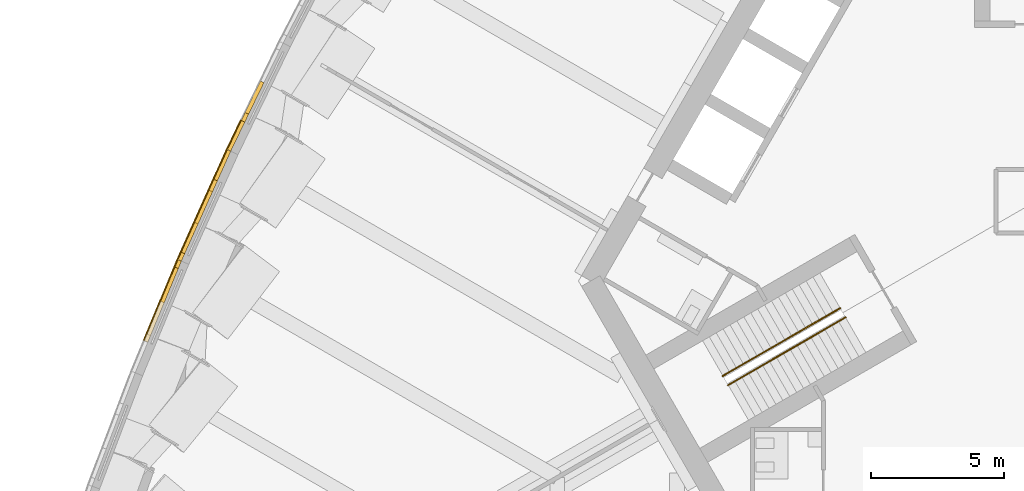
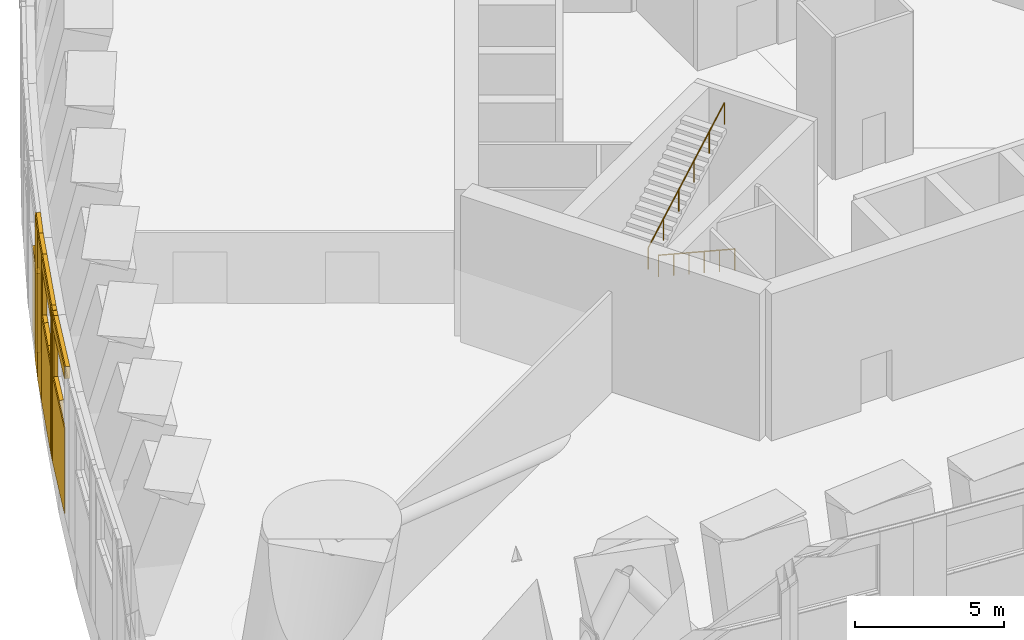
# One storey, part 16 of 28: 20 coverings, 2 railings.
"""IFC4 building model written with IfcOpenShell, lengths in metres."""

from ifc_helpers import new_model, si_unit, direction, frame, origin, origin_2d, place, context, subcontext, project, spatial, rectangle, circle, extrude, material, layer, layer_set, type_object, element, save


model = new_model("IFC4")

# Units and contexts
model_context = context("Model", 3, precision=1e-05, world=origin(), true_north=direction((0.0, 1.0)))
body_context = subcontext(model_context, "Body", "Model", "MODEL_VIEW")
ifc_project = project(units=[si_unit("LENGTHUNIT", "METRE"), si_unit("AREAUNIT", "SQUARE_METRE"), si_unit("VOLUMEUNIT", "CUBIC_METRE"), si_unit("PLANEANGLEUNIT", "RADIAN"), si_unit("MASSUNIT", "GRAM", prefix="KILO")], contexts=[model_context])

# Site, building, storey
site_placement = place(None, origin())
site = spatial("IfcSite", under=ifc_project, at=site_placement, CompositionType="ELEMENT")
building_placement = place(site_placement, origin())
building = spatial("IfcBuilding", under=site, at=building_placement, Name="Trefoil Bronze Tower", CompositionType="ELEMENT")
storey_placement = place(building_placement, frame((0.0, 0.0, 92.10009765625)))
storey = spatial("IfcBuildingStorey", under=building, at=storey_placement, Name="L21", CompositionType="ELEMENT", Elevation=92.10009765625)

# Coverings
ifc_material_1 = material(Name="Bronze-finish aluminium rainscreen panel on aluminium rails", Category="aluminium")
ifc_layer_1 = layer(ifc_material_1, 0.0400390625)
ifc_layer_set_1 = layer_set([ifc_layer_1], Name="Bronze cladding panel 40")
covering_type_1 = type_object("IfcCoveringType", Name="Bronze cladding panel 40", PredefinedType="CLADDING", material=ifc_layer_set_1)
covering_1_placement = place(storey_placement, frame((-30.165283203125, 2.49853515625, 0.0), z_axis=(0.0, 0.0, 1.0), x_axis=(-0.43585534581, -0.900016731805, 0.0)))
element("IfcCovering", 1, at=covering_1_placement, inside=storey, type_object=covering_type_1, Name="Cladding panel L21 Face 3.11 piece 2", PredefinedType="CLADDING", context=body_context, shape_type="SweptSolid", body=[
    extrude(rectangle(XDim=1.2119140625, YDim=0.0400390625, at=origin_2d()), origin(), (0.0, 0.0, 1.0), 6.0),
])
covering_2_placement = place(storey_placement, frame((-30.683837890625, 1.38671875, 0.0), z_axis=(0.0, 0.0, 1.0), x_axis=(-0.409456357969, -0.912329705161, 0.0)))
element("IfcCovering", 2, at=covering_2_placement, inside=storey, type_object=covering_type_1, Name="Cladding panel L21 Face 3.12 piece 1", PredefinedType="CLADDING", context=body_context, shape_type="SweptSolid", body=[
    extrude(rectangle(XDim=1.223388671875, YDim=0.0400390625, at=origin_2d()), origin(), (0.0, 0.0, 1.0), 6.0),
])
covering_3_placement = place(storey_placement, frame((-32.22412109375, -2.045166015625, 0.0), z_axis=(0.0, 0.0, 1.0), x_axis=(-0.409456357969, -0.912329705161, 0.0)))
element("IfcCovering", 3, at=covering_3_placement, inside=storey, type_object=covering_type_1, Name="Cladding panel L21 Face 3.12 piece 2", PredefinedType="CLADDING", context=body_context, shape_type="SweptSolid", body=[
    extrude(rectangle(XDim=0.300048828125, YDim=0.0400390625, at=origin_2d()), origin(), (0.0, 0.0, 1.0), 6.0),
])
covering_4_placement = place(storey_placement, frame((-31.54833984375, -0.5400390625, 0.0), z_axis=(0.0, 0.0, 1.0), x_axis=(-0.409456357969, -0.912329705161, 0.0)))
element("IfcCovering", 4, at=covering_4_placement, inside=storey, type_object=covering_type_1, Name="Cladding panel L21 Face 3.12 piece 3", PredefinedType="CLADDING", context=body_context, shape_type="SweptSolid", body=[
    extrude(rectangle(XDim=3.0, YDim=0.0400390625, at=origin_2d()), origin(), (0.0, 0.0, 1.0), 3.5),
])
covering_5_placement = place(storey_placement, frame((-31.54833984375, -0.5400390625, 5.5), z_axis=(0.0, 0.0, 1.0), x_axis=(-0.409456357969, -0.912329705161, 0.0)))
element("IfcCovering", 5, at=covering_5_placement, inside=storey, type_object=covering_type_1, Name="Cladding panel L21 Face 3.12 piece 4", PredefinedType="CLADDING", context=body_context, shape_type="SweptSolid", body=[
    extrude(rectangle(XDim=3.0, YDim=0.0400390625, at=origin_2d()), origin(), (0.0, 0.0, 1.0), 0.5),
])
covering_6_placement = place(storey_placement, frame((-32.346435546875, -2.329345703125, 0.0), z_axis=(0.0, 0.0, 1.0), x_axis=(-0.382629580809, -0.923901836718, 0.0)))
element("IfcCovering", 6, at=covering_6_placement, inside=storey, type_object=covering_type_1, Name="Cladding panel L21 Face 3.13 piece 1", PredefinedType="CLADDING", context=body_context, shape_type="SweptSolid", body=[
    extrude(rectangle(XDim=0.300048828125, YDim=0.0400390625, at=origin_2d()), origin(), (0.0, 0.0, 1.0), 6.0),
])
covering_7_placement = place(storey_placement, frame((-32.977783203125, -3.853759765625, 0.0), z_axis=(0.0, 0.0, 1.0), x_axis=(-0.382629580809, -0.923901836718, 0.0)))
element("IfcCovering", 7, at=covering_7_placement, inside=storey, type_object=covering_type_1, Name="Cladding panel L21 Face 3.13 piece 3", PredefinedType="CLADDING", context=body_context, shape_type="SweptSolid", body=[
    extrude(rectangle(XDim=3.0, YDim=0.0400390625, at=origin_2d()), origin(), (0.0, 0.0, 1.0), 3.5),
])
covering_8_placement = place(storey_placement, frame((-32.977783203125, -3.853759765625, 5.5), z_axis=(0.0, 0.0, 1.0), x_axis=(-0.382629580809, -0.923901836718, 0.0)))
element("IfcCovering", 8, at=covering_8_placement, inside=storey, type_object=covering_type_1, Name="Cladding panel L21 Face 3.13 piece 4", PredefinedType="CLADDING", context=body_context, shape_type="SweptSolid", body=[
    extrude(rectangle(XDim=3.0, YDim=0.0400390625, at=origin_2d()), origin(), (0.0, 0.0, 1.0), 0.5),
])

# Railings
ifc_material_2 = material(Name="Steel handrail", Category="steel")
railing_type = type_object("IfcRailingType", Name="Handrail 900", PredefinedType="HANDRAIL", material=ifc_material_2)
railing_1_placement = place(storey_placement, frame((-7.166015625, -4.3681640625, 0.16650390625)))
element("IfcRailing", 9, at=railing_1_placement, inside=storey, type_object=railing_type, Name="Handrail ST3 flight 1 L21", PredefinedType="HANDRAIL", context=body_context, shape_type="SweptSolid", body=[
    extrude(circle(Radius=0.02392578125, at=origin_2d()), frame((0.0, 0.0, 0.8759765625), z_axis=(-0.757030734863, -0.437078438209, 0.485661307215), x_axis=(0.500005610874, -0.86602216432, 0.0)), (0.0, 0.0, 1.0), 5.834228515625),
    extrude(circle(Radius=0.02099609375, at=origin_2d()), origin(), (0.0, 0.0, 1.0), 0.851806640625),
    extrude(circle(Radius=0.02099609375, at=origin_2d()), frame((-0.88330078125, -0.510009765625, 0.566650390625)), (0.0, 0.0, 1.0), 0.851806640625),
    extrude(circle(Radius=0.02099609375, at=origin_2d()), frame((-1.7666015625, -1.02001953125, 1.13330078125)), (0.0, 0.0, 1.0), 0.851806640625),
    extrude(circle(Radius=0.02099609375, at=origin_2d()), frame((-2.650146484375, -1.530029296875, 1.7001953125)), (0.0, 0.0, 1.0), 0.851806640625),
    extrude(circle(Radius=0.02099609375, at=origin_2d()), frame((-3.533447265625, -2.0400390625, 2.266845703125)), (0.0, 0.0, 1.0), 0.851806640625),
    extrude(circle(Radius=0.02099609375, at=origin_2d()), frame((-4.416748046875, -2.550048828125, 2.83349609375)), (0.0, 0.0, 1.0), 0.851806640625),
])
railing_2_placement = place(storey_placement, frame((-11.78271484375, -6.57177734375, 3.16650390625)))
element("IfcRailing", 10, at=railing_2_placement, inside=storey, type_object=railing_type, Name="Handrail ST3 flight 2 L21", PredefinedType="HANDRAIL", context=body_context, shape_type="SweptSolid", body=[
    extrude(circle(Radius=0.02392578125, at=origin_2d()), frame((0.0, 0.0, 0.8759765625), z_axis=(0.757030734863, 0.437078438209, 0.485661307215), x_axis=(-0.500005610874, 0.86602216432, 0.0)), (0.0, 0.0, 1.0), 5.834228515625),
    extrude(circle(Radius=0.02099609375, at=origin_2d()), origin(), (0.0, 0.0, 1.0), 0.851806640625),
    extrude(circle(Radius=0.02099609375, at=origin_2d()), frame((0.88330078125, 0.510009765625, 0.566650390625)), (0.0, 0.0, 1.0), 0.851806640625),
    extrude(circle(Radius=0.02099609375, at=origin_2d()), frame((1.7666015625, 1.02001953125, 1.13330078125)), (0.0, 0.0, 1.0), 0.851806640625),
    extrude(circle(Radius=0.02099609375, at=origin_2d()), frame((2.650146484375, 1.530029296875, 1.7001953125)), (0.0, 0.0, 1.0), 0.851806640625),
    extrude(circle(Radius=0.02099609375, at=origin_2d()), frame((3.533447265625, 2.0400390625, 2.266845703125)), (0.0, 0.0, 1.0), 0.851806640625),
    extrude(circle(Radius=0.02099609375, at=origin_2d()), frame((4.416748046875, 2.550048828125, 2.83349609375)), (0.0, 0.0, 1.0), 0.851806640625),
])

# Coverings
ifc_material_3 = material(Name="Non-combustible mineral wool slab", Category="insulation")
ifc_layer_2 = layer(ifc_material_3, 0.14990234375)
ifc_layer_set_2 = layer_set([ifc_layer_2], Name="Rainscreen insulation 150")
covering_type_2 = type_object("IfcCoveringType", Name="Rainscreen insulation 150", PredefinedType="INSULATION", material=ifc_layer_set_2)
covering_9_placement = place(storey_placement, frame((-30.079833984375, 2.45703125, 0.22998046875), z_axis=(0.0, 0.0, 1.0), x_axis=(-0.43585534581, -0.900016731805, 0.0)))
element("IfcCovering", 11, at=covering_9_placement, inside=storey, type_object=covering_type_2, Name="Insulation L21 Face 3.11 piece 2", PredefinedType="INSULATION", context=body_context, shape_type="SweptSolid", body=[
    extrude(rectangle(XDim=1.2119140625, YDim=0.14990234375, at=origin_2d()), origin(), (0.0, 0.0, 1.0), 5.77001953125),
])
covering_10_placement = place(storey_placement, frame((-29.383544921875, 3.894775390625, 0.0), z_axis=(0.0, 0.0, 1.0), x_axis=(-0.43585534581, -0.900016731805, 0.0)))
element("IfcCovering", 12, at=covering_10_placement, inside=storey, type_object=covering_type_2, Name="Insulation L21 Face 3.11 piece 3 part 2", PredefinedType="INSULATION", context=body_context, shape_type="SweptSolid", body=[
    extrude(rectangle(XDim=1.31689453125, YDim=0.14990234375, at=origin_2d()), origin(), (0.0, 0.0, 1.0), 3.5),
])
covering_11_placement = place(storey_placement, frame((-29.7431640625, 3.15234375, 0.2646484375), z_axis=(0.0, 0.0, 1.0), x_axis=(-0.43585534581, -0.900016731805, 0.0)))
element("IfcCovering", 13, at=covering_11_placement, inside=storey, type_object=covering_type_2, Name="Insulation L21 Face 3.11 piece 3 part 3", PredefinedType="INSULATION", context=body_context, shape_type="SweptSolid", body=[
    extrude(rectangle(XDim=0.3330078125, YDim=0.14990234375, at=origin_2d()), origin(), (0.0, 0.0, 1.0), 3.235107421875),
])
covering_12_placement = place(storey_placement, frame((-30.59716796875, 1.34765625, 0.125), z_axis=(0.0, 0.0, 1.0), x_axis=(-0.409456357969, -0.912329705161, 0.0)))
element("IfcCovering", 14, at=covering_12_placement, inside=storey, type_object=covering_type_2, Name="Insulation L21 Face 3.12 piece 1", PredefinedType="INSULATION", context=body_context, shape_type="SweptSolid", body=[
    extrude(rectangle(XDim=1.223388671875, YDim=0.14990234375, at=origin_2d()), origin(), (0.0, 0.0, 1.0), 5.875),
])
covering_13_placement = place(storey_placement, frame((-32.137451171875, -2.084228515625, 0.14501953125), z_axis=(0.0, 0.0, 1.0), x_axis=(-0.409456357969, -0.912329705161, 0.0)))
element("IfcCovering", 15, at=covering_13_placement, inside=storey, type_object=covering_type_2, Name="Insulation L21 Face 3.12 piece 2", PredefinedType="INSULATION", context=body_context, shape_type="SweptSolid", body=[
    extrude(rectangle(XDim=0.300048828125, YDim=0.14990234375, at=origin_2d()), origin(), (0.0, 0.0, 1.0), 5.85498046875),
])
covering_14_placement = place(storey_placement, frame((-30.938720703125, 0.586669921875, 0.1298828125), z_axis=(0.0, 0.0, 1.0), x_axis=(-0.409456357969, -0.912329705161, 0.0)))
element("IfcCovering", 16, at=covering_14_placement, inside=storey, type_object=covering_type_2, Name="Insulation L21 Face 3.12 piece 3", PredefinedType="INSULATION", context=body_context, shape_type="SweptSolid", body=[
    extrude(rectangle(XDim=0.445068359375, YDim=0.14990234375, at=origin_2d()), origin(), (0.0, 0.0, 1.0), 3.3701171875),
])
covering_15_placement = place(storey_placement, frame((-31.301513671875, -0.221923828125, 0.0), z_axis=(0.0, 0.0, 1.0), x_axis=(-0.409456357969, -0.912329705161, 0.0)))
element("IfcCovering", 17, at=covering_15_placement, inside=storey, type_object=covering_type_2, Name="Insulation L21 Face 3.12 piece 3 part 2", PredefinedType="INSULATION", context=body_context, shape_type="SweptSolid", body=[
    extrude(rectangle(XDim=1.327392578125, YDim=0.14990234375, at=origin_2d()), origin(), (0.0, 0.0, 1.0), 3.5),
])
covering_16_placement = place(storey_placement, frame((-31.82470703125, -1.38720703125, 0.27978515625), z_axis=(0.0, 0.0, 1.0), x_axis=(-0.409456357969, -0.912329705161, 0.0)))
element("IfcCovering", 18, at=covering_16_placement, inside=storey, type_object=covering_type_2, Name="Insulation L21 Face 3.12 piece 3 part 3", PredefinedType="INSULATION", context=body_context, shape_type="SweptSolid", body=[
    extrude(rectangle(XDim=1.2275390625, YDim=0.14990234375, at=origin_2d()), origin(), (0.0, 0.0, 1.0), 3.219970703125),
])
covering_17_placement = place(storey_placement, frame((-31.461669921875, -0.578857421875, 5.5), z_axis=(0.0, 0.0, 1.0), x_axis=(-0.409456357969, -0.912329705161, 0.0)))
element("IfcCovering", 19, at=covering_17_placement, inside=storey, type_object=covering_type_2, Name="Insulation L21 Face 3.12 piece 4", PredefinedType="INSULATION", context=body_context, shape_type="SweptSolid", body=[
    extrude(rectangle(XDim=3.0, YDim=0.14990234375, at=origin_2d()), origin(), (0.0, 0.0, 1.0), 0.5),
])
covering_18_placement = place(storey_placement, frame((-32.2587890625, -2.36572265625, 0.10986328125), z_axis=(0.0, 0.0, 1.0), x_axis=(-0.382629580809, -0.923901836718, 0.0)))
element("IfcCovering", 20, at=covering_18_placement, inside=storey, type_object=covering_type_2, Name="Insulation L21 Face 3.13 piece 1", PredefinedType="INSULATION", context=body_context, shape_type="SweptSolid", body=[
    extrude(rectangle(XDim=0.300048828125, YDim=0.14990234375, at=origin_2d()), origin(), (0.0, 0.0, 1.0), 5.889892578125),
])
covering_19_placement = place(storey_placement, frame((-32.58203125, -3.146240234375, 0.10986328125), z_axis=(0.0, 0.0, 1.0), x_axis=(-0.382629580809, -0.923901836718, 0.0)))
element("IfcCovering", 21, at=covering_19_placement, inside=storey, type_object=covering_type_2, Name="Insulation L21 Face 3.13 piece 3", PredefinedType="INSULATION", context=body_context, shape_type="SweptSolid", body=[
    extrude(rectangle(XDim=1.389892578125, YDim=0.14990234375, at=origin_2d()), origin(), (0.0, 0.0, 1.0), 3.389892578125),
])
covering_20_placement = place(storey_placement, frame((-32.89013671875, -3.89013671875, 5.5), z_axis=(0.0, 0.0, 1.0), x_axis=(-0.382629580809, -0.923901836718, 0.0)))
element("IfcCovering", 22, at=covering_20_placement, inside=storey, type_object=covering_type_2, Name="Insulation L21 Face 3.13 piece 4", PredefinedType="INSULATION", context=body_context, shape_type="SweptSolid", body=[
    extrude(rectangle(XDim=3.0, YDim=0.14990234375, at=origin_2d()), origin(), (0.0, 0.0, 1.0), 0.5),
])

save(model, "model.ifc")
